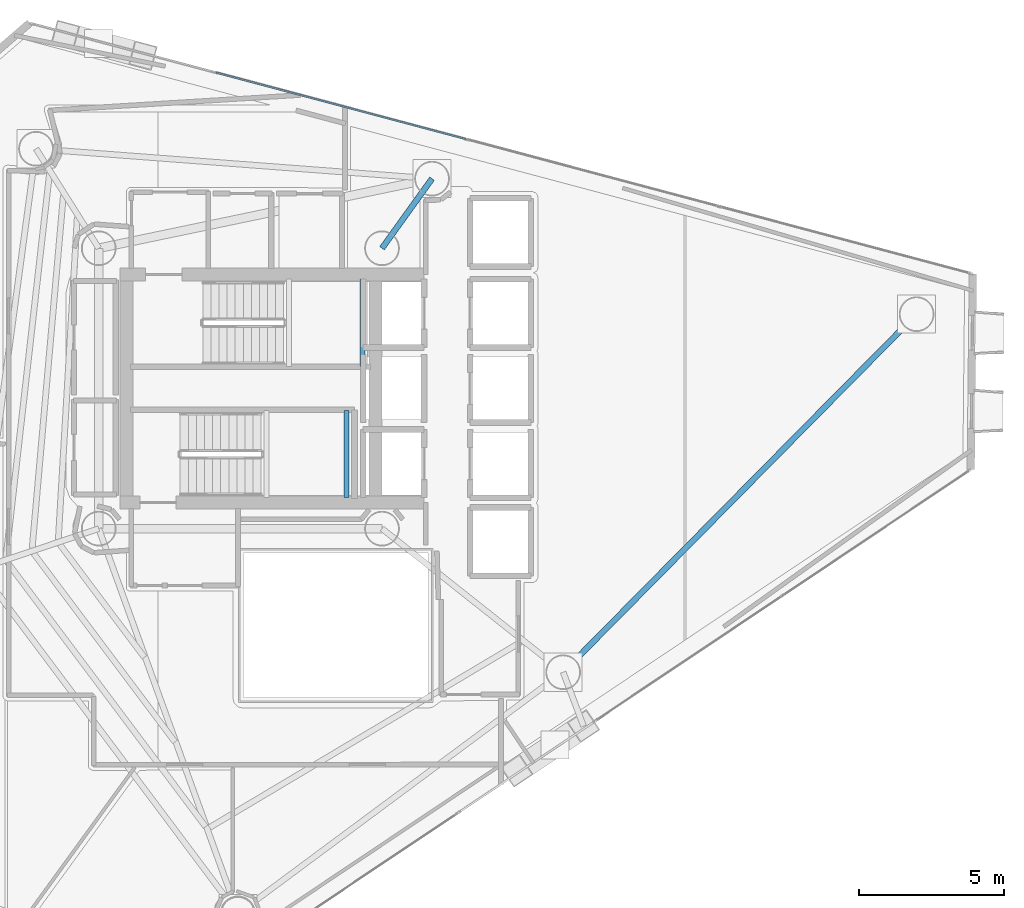
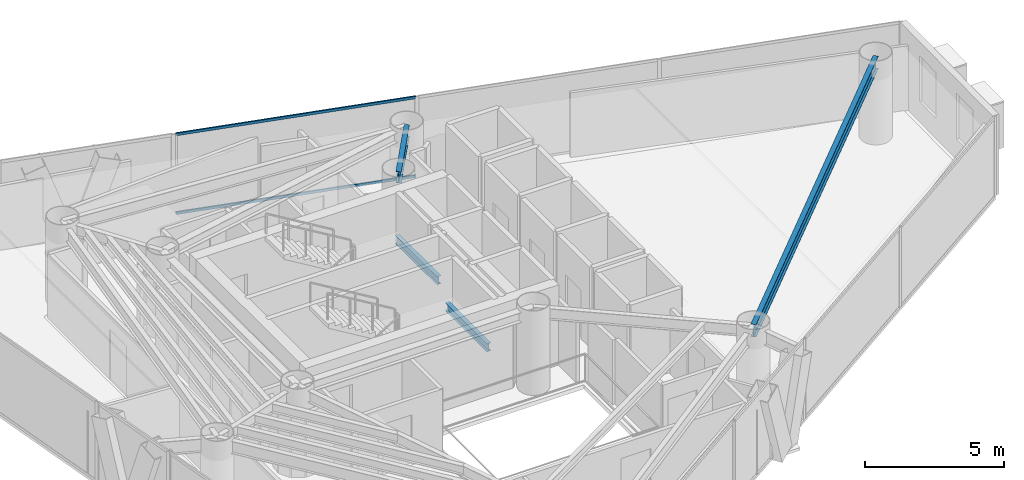
# One storey, part 11 of 21: 4 beams, 2 members, 1 element without a shape of its own.
"""IFC4 building model written with IfcOpenShell, lengths in metres."""

from ifc_helpers import new_model, si_unit, direction, frame, origin, origin_2d, place, context, subcontext, project, spatial, hollow_rectangle, i_section, extrude, material, layer, layer_set, material_profile, profile_set, type_object, element, aggregate, save


model = new_model("IFC4")

# Units and contexts
model_context = context("Model", 3, precision=1e-05, world=origin(), true_north=direction((0.0, 1.0)))
body_context = subcontext(model_context, "Body", "Model", "MODEL_VIEW")
ifc_project = project(units=[si_unit("LENGTHUNIT", "METRE"), si_unit("AREAUNIT", "SQUARE_METRE"), si_unit("VOLUMEUNIT", "CUBIC_METRE"), si_unit("PLANEANGLEUNIT", "RADIAN"), si_unit("MASSUNIT", "GRAM", prefix="KILO")], contexts=[model_context])

# Site, building, storey
site_placement = place(None, origin())
site = spatial("IfcSite", under=ifc_project, at=site_placement, CompositionType="ELEMENT")
building_placement = place(site_placement, origin())
building = spatial("IfcBuilding", under=site, at=building_placement, Name="Qianvela Tower", CompositionType="ELEMENT")
storey_placement = place(building_placement, frame((0.0, 0.0, 189.199951171875)))
storey = spatial("IfcBuildingStorey", under=building, at=storey_placement, Name="L48", CompositionType="ELEMENT", Elevation=189.199951171875)

# Beams
ifc_material_1 = material(Name="Steel Q355B", Category="steel")
ifc_material_profile_1 = material_profile(ifc_material_1, i_section(OverallWidth=0.175048828125, OverallDepth=0.35009765625, WebThickness=0.007080078125, FlangeThickness=0.010986328125, at=origin_2d()), Name="HN350x175x7x11")
ifc_profile_set_1 = profile_set([ifc_material_profile_1], Name="Steel Q355B")
beam_type_1 = type_object("IfcBeamType", Name="BM-HN350-JOIST", PredefinedType="JOIST", material=ifc_profile_set_1)
for number, where, z_axis, x_axis, name in (
    (1, (37.719970703125, 29.4599609375, 1.47509765625), (0.0, 1.0, 0.0), (-1.0, 0.0, 0.0), "L48 Stair ST-1 Landing Support Beam 1.2"),
    (2, (37.169921875, 24.919921875, 1.47509765625), (0.0, 1.0, 0.0), (-1.0, 0.0, 0.0), "L48 Stair ST-2 Landing Support Beam 1.2"),
):
    element("IfcBeam", number, at=place(storey_placement, frame(where, z_axis=z_axis, x_axis=x_axis)), inside=storey, type_object=beam_type_1, Name=name, PredefinedType="JOIST", context=body_context, shape_type="SweptSolid", body=[
        extrude(i_section(OverallWidth=0.175048828125, OverallDepth=0.35009765625, WebThickness=0.007080078125, FlangeThickness=0.010986328125, at=origin_2d()), origin(), (0.0, 0.0, 1.0), 3.02001953125),
    ])
ifc_material_2 = material(Name="Steel Q355B", Category="steel")
ifc_material_profile_2 = material_profile(ifc_material_2, i_section(OverallWidth=0.199951171875, OverallDepth=0.5, WebThickness=0.010009765625, FlangeThickness=0.01611328125, at=origin_2d()), Name="HN500x200x10x16")
ifc_profile_set_2 = profile_set([ifc_material_profile_2], Name="Steel Q355B")
beam_type_2 = type_object("IfcBeamType", Name="BM-HN500-GIRD", PredefinedType="BEAM", material=ifc_profile_set_2)
beam_1_placement = place(storey_placement, frame((38.39990234375, 33.550048828125, 3.26806640625), z_axis=(0.583742907536, 0.811938555496, 0.0), x_axis=(-0.811938555496, 0.583742907536, 0.0)))
element("IfcBeam", 3, at=beam_1_placement, inside=storey, type_object=beam_type_2, Name="L48 Radial Primary Floor Girder 2", PredefinedType="BEAM", context=body_context, shape_type="SweptSolid", body=[
    extrude(i_section(OverallWidth=0.199951171875, OverallDepth=0.5, WebThickness=0.010009765625, FlangeThickness=0.01611328125, at=origin_2d()), origin(), (0.0, 0.0, 1.0), 2.965576171875),
])
ifc_material_3 = material(Name="Steel Q355B", Category="steel")
ifc_material_profile_3 = material_profile(ifc_material_3, i_section(OverallWidth=0.199951171875, OverallDepth=0.550048828125, WebThickness=0.010009765625, FlangeThickness=0.01611328125, at=origin_2d()), Name="HN550x200x10x16")
ifc_profile_set_3 = profile_set([ifc_material_profile_3], Name="Steel Q355B")
beam_type_3 = type_object("IfcBeamType", Name="BM-HN550-GIRD", PredefinedType="BEAM", material=ifc_profile_set_3)
beam_2_placement = place(storey_placement, frame((44.6669921875, 18.883056640625, 3.2431640625), z_axis=(0.702583270685, 0.711601537205, 0.0), x_axis=(-0.711601537205, 0.702583270685, 0.0)))
element("IfcBeam", 4, at=beam_2_placement, inside=storey, type_object=beam_type_3, Name="L48 Perimeter Ring Spandrel Girder 6", PredefinedType="BEAM", context=body_context, shape_type="SweptSolid", body=[
    extrude(i_section(OverallWidth=0.199951171875, OverallDepth=0.550048828125, WebThickness=0.010009765625, FlangeThickness=0.01611328125, at=origin_2d()), origin(), (0.0, 0.0, 1.0), 17.4072265625),
])

# Curtain wall, members
ifc_material_4 = material(Name="Anodised Architectural Aluminium and Low-E Glass", Category="aluminium")
ifc_layer = layer(ifc_material_4, 0.159912109375)
ifc_layer_set = layer_set([ifc_layer], Name="Anodised Architectural Aluminium and Low-E Glass")
curtain_wall_type = type_object("IfcCurtainWallType", Name="CW-COLIV-Z56", PredefinedType="USERDEFINED", material=ifc_layer_set)
curtain_wall_placement = place(storey_placement, origin())
curtain_wall = element("IfcCurtainWall", 5, at=curtain_wall_placement, inside=storey, type_object=curtain_wall_type, Name="L48 CW-COLIV-Z56 Curtain Wall 02A", ObjectType="CURTAIN_WALL_SYSTEM", PredefinedType="USERDEFINED")
ifc_material_5 = material(Name="Anodised Architectural Aluminium 6063-T6", Category="aluminium")
ifc_material_profile_4 = material_profile(ifc_material_5, hollow_rectangle(XDim=0.06005859375, YDim=0.114990234375, WallThickness=0.00390625, at=origin_2d()), Name="ALU-TRAN-60x115")
ifc_profile_set_4 = profile_set([ifc_material_profile_4], Name="Anodised Architectural Aluminium 6063-T6")
member_type = type_object("IfcMemberType", Name="CW-COLIV-Z56-TRAN", PredefinedType="USERDEFINED", material=ifc_profile_set_4)
member_1_placement = place(storey_placement, frame((41.297607421875, 37.32666015625, 0.030029296875), z_axis=(-0.966317842443, 0.257351563771, 0.0), x_axis=(-0.257351563771, -0.966317842443, 0.0)))
member_1 = element("IfcMember", 6, at=member_1_placement, type_object=member_type, Name="CW-5 transom 3.1", ObjectType="TRANSOM", PredefinedType="USERDEFINED", context=body_context, shape_type="SweptSolid", body=[
    extrude(hollow_rectangle(XDim=0.06005859375, YDim=0.114990234375, WallThickness=0.00390625, at=origin_2d()), origin(), (0.0, 0.0, 1.0), 8.939208984375),
])
member_2_placement = place(storey_placement, frame((41.297607421875, 37.32666015625, 3.489990234375), z_axis=(-0.966317842443, 0.257351563771, 0.0), x_axis=(-0.257351563771, -0.966317842443, 0.0)))
member_2 = element("IfcMember", 7, at=member_2_placement, type_object=member_type, Name="CW-5 transom 3.2", ObjectType="TRANSOM", PredefinedType="USERDEFINED", context=body_context, shape_type="SweptSolid", body=[
    extrude(hollow_rectangle(XDim=0.06005859375, YDim=0.114990234375, WallThickness=0.00390625, at=origin_2d()), origin(), (0.0, 0.0, 1.0), 8.939208984375),
])
aggregate(curtain_wall, [member_1, member_2])

save(model, "model.ifc")
